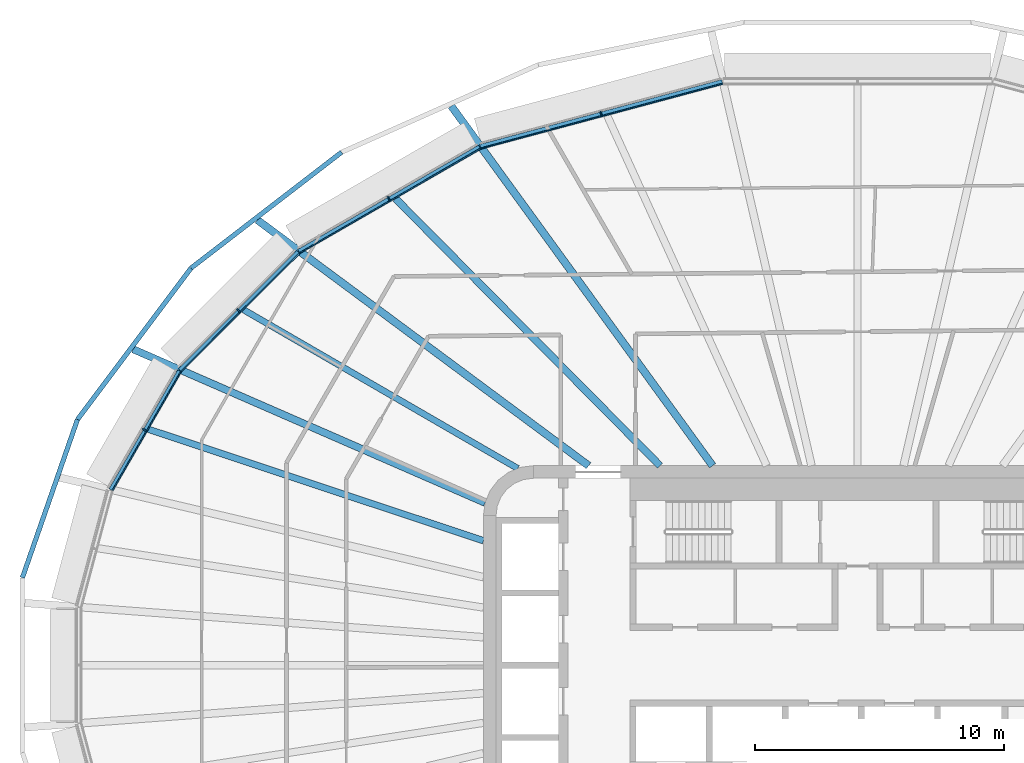
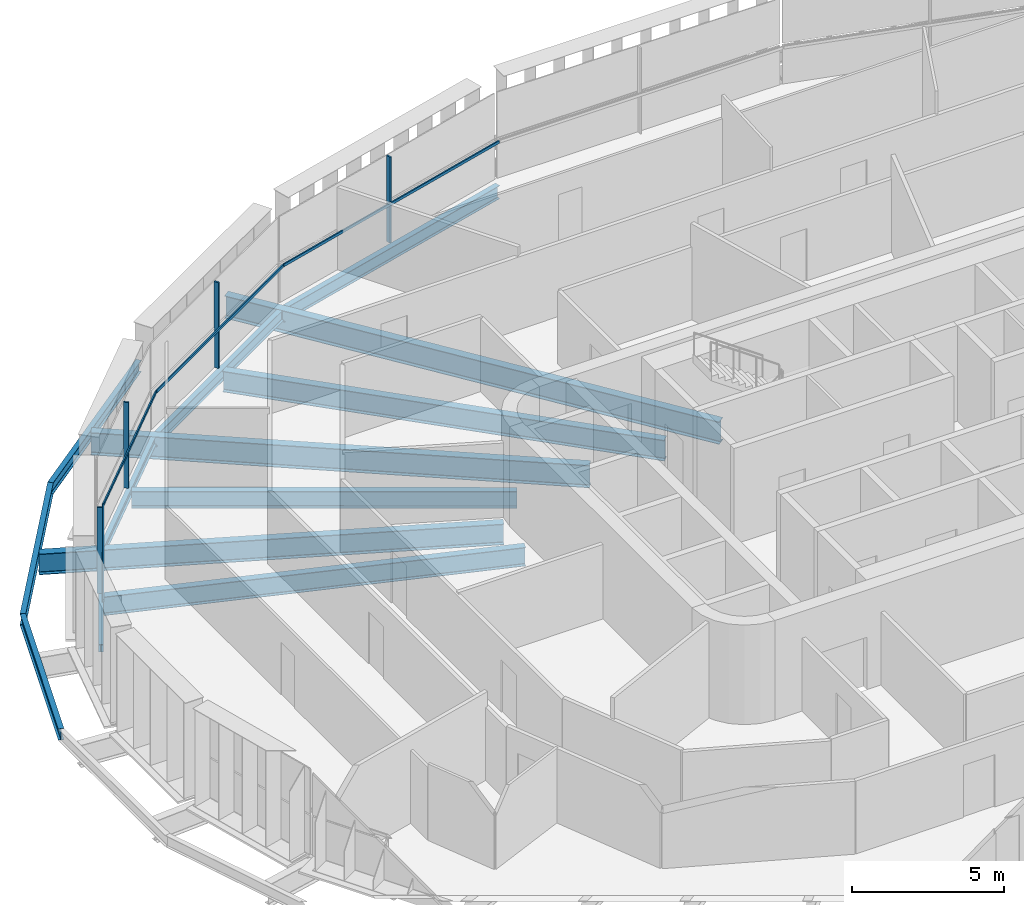
# One storey, part 5 of 23: 13 beams, 8 members, 4 elements without a shape of their own.
"""IFC4 building model written with IfcOpenShell, lengths in metres."""

from ifc_helpers import new_model, si_unit, direction, frame, origin, origin_2d, place, context, subcontext, project, spatial, rectangle, i_section, extrude, material, layer, layer_set, material_profile, profile_set, type_object, element, aggregate, save


model = new_model("IFC4")

# Units and contexts
model_context = context("Model", 3, precision=1e-05, world=origin(), true_north=direction((0.0, 1.0)))
body_context = subcontext(model_context, "Body", "Model", "MODEL_VIEW")
ifc_project = project(units=[si_unit("LENGTHUNIT", "METRE"), si_unit("AREAUNIT", "SQUARE_METRE"), si_unit("VOLUMEUNIT", "CUBIC_METRE"), si_unit("PLANEANGLEUNIT", "RADIAN"), si_unit("MASSUNIT", "GRAM", prefix="KILO")], contexts=[model_context])

# Site, building, storey
site_placement = place(None, origin())
site = spatial("IfcSite", under=ifc_project, at=site_placement, CompositionType="ELEMENT")
building_placement = place(site_placement, origin())
building = spatial("IfcBuilding", under=site, at=building_placement, Name="Sahrelin Media Tower", CompositionType="ELEMENT")
storey_placement = place(building_placement, frame((0.0, 0.0, 157.60009765625)))
storey = spatial("IfcBuildingStorey", under=building, at=storey_placement, Name="L32", CompositionType="ELEMENT", Elevation=157.60009765625)

# Beams
ifc_material_1 = material(Name="Steel S355", Category="steel")
ifc_material_profile_1 = material_profile(ifc_material_1, i_section(OverallWidth=0.1650390625, OverallDepth=0.303466796875, WebThickness=0.006103515625, FlangeThickness=0.01025390625, FilletRadius=0.0087890625, at=origin_2d()), Name="UB 305x165x40")
ifc_profile_set_1 = profile_set([ifc_material_profile_1], Name="Steel S355")
beam_type_1 = type_object("IfcBeamType", Name="Edge beam EB2", PredefinedType="BEAM", material=ifc_profile_set_1)
beam_1_placement = place(storey_placement, frame((-29.936279296875, 7.03125, -0.3017578125), z_axis=(0.499996181239, 0.866027608536, 0.0), x_axis=(-0.866027608536, 0.499996181239, 0.0)))
element("IfcBeam", 1, at=beam_1_placement, inside=storey, type_object=beam_type_1, Name="Edge beam L32-15", PredefinedType="BEAM", context=body_context, shape_type="SweptSolid", body=[
    extrude(i_section(OverallWidth=0.1650390625, OverallDepth=0.303466796875, WebThickness=0.006103515625, FlangeThickness=0.01025390625, FilletRadius=0.0087890625, at=origin_2d()), origin(), (0.0, 0.0, 1.0), 5.50732421875),
])
ifc_material_profile_2 = material_profile(ifc_material_1, i_section(OverallWidth=0.17138671875, OverallDepth=0.35498046875, WebThickness=0.00732421875, FlangeThickness=0.011474609375, FilletRadius=0.01025390625, at=origin_2d()), Name="UB 356x171x51")
ifc_profile_set_2 = profile_set([ifc_material_profile_2], Name="Steel S355")
beam_type_2 = type_object("IfcBeamType", Name="Edge beam EB3", PredefinedType="BEAM", material=ifc_profile_set_2)
beam_2_placement = place(storey_placement, frame((-27.1650390625, 11.823486328125, -0.32763671875), z_axis=(0.707088574851, 0.707124987054, 0.0), x_axis=(-0.707124987054, 0.707088574851, 0.0)))
element("IfcBeam", 2, at=beam_2_placement, inside=storey, type_object=beam_type_2, Name="Edge beam L32-16", PredefinedType="BEAM", context=body_context, shape_type="SweptSolid", body=[
    extrude(i_section(OverallWidth=0.17138671875, OverallDepth=0.35498046875, WebThickness=0.00732421875, FlangeThickness=0.011474609375, FilletRadius=0.01025390625, at=origin_2d()), origin(), (0.0, 0.0, 1.0), 6.704833984375),
])
ifc_material_profile_3 = material_profile(ifc_material_1, i_section(OverallWidth=0.1904296875, OverallDepth=0.45703125, WebThickness=0.009033203125, FlangeThickness=0.014404296875, FilletRadius=0.01025390625, at=origin_2d()), Name="UB 457x191x74")
ifc_profile_set_3 = profile_set([ifc_material_profile_3], Name="Steel S355")
beam_type_3 = type_object("IfcBeamType", Name="Edge beam EB5", PredefinedType="BEAM", material=ifc_profile_set_3)
beam_3_placement = place(storey_placement, frame((-22.401123046875, 16.58203125, -0.378662109375), z_axis=(0.866019985848, 0.500009384024, 0.0), x_axis=(-0.500009384024, 0.866019985848, 0.0)))
element("IfcBeam", 3, at=beam_3_placement, inside=storey, type_object=beam_type_3, Name="Edge beam L32-17", PredefinedType="BEAM", context=body_context, shape_type="SweptSolid", body=[
    extrude(i_section(OverallWidth=0.1904296875, OverallDepth=0.45703125, WebThickness=0.009033203125, FlangeThickness=0.014404296875, FilletRadius=0.01025390625, at=origin_2d()), origin(), (0.0, 0.0, 1.0), 8.371826171875),
])
ifc_material_profile_4 = material_profile(ifc_material_1, i_section(OverallWidth=0.208740234375, OverallDepth=0.5283203125, WebThickness=0.009521484375, FlangeThickness=0.01318359375, FilletRadius=0.0126953125, at=origin_2d()), Name="UB 533x210x82")
ifc_profile_set_4 = profile_set([ifc_material_profile_4], Name="Steel S355")
beam_type_4 = type_object("IfcBeamType", Name="Edge beam EB6", PredefinedType="BEAM", material=ifc_profile_set_4)
beam_4_placement = place(storey_placement, frame((-15.124267578125, 20.779052734375, -0.414306640625), z_axis=(0.965924398273, 0.258824374473, 0.0), x_axis=(-0.258824374473, 0.965924398273, 0.0)))
element("IfcBeam", 4, at=beam_4_placement, inside=storey, type_object=beam_type_4, Name="Edge beam L32-18", PredefinedType="BEAM", context=body_context, shape_type="SweptSolid", body=[
    extrude(i_section(OverallWidth=0.208740234375, OverallDepth=0.5283203125, WebThickness=0.009521484375, FlangeThickness=0.01318359375, FilletRadius=0.0126953125, at=origin_2d()), origin(), (0.0, 0.0, 1.0), 10.0439453125),
])

# Curtain wall, member
ifc_material_2 = material(Name="Champagne anodised aluminium 6063-T6", Category="aluminium")
ifc_layer = layer(ifc_material_2, 0.14990234375)
ifc_layer_set = layer_set([ifc_layer], Name="Tower ribbon curtain wall")
curtain_wall_type = type_object("IfcCurtainWallType", Name="Tower ribbon curtain wall", PredefinedType="NOTDEFINED", material=ifc_layer_set)
curtain_wall_1_placement = place(storey_placement, frame((-10.312255859375, 22.2236328125, 0.0), z_axis=(0.0, 0.0, 1.0), x_axis=(1.0, 0.0, 0.0)))
curtain_wall_1 = element("IfcCurtainWall", 5, at=curtain_wall_1_placement, inside=storey, type_object=curtain_wall_type, Name="L32:CW:L32-07", PredefinedType="NOTDEFINED")
ifc_material_profile_5 = material_profile(ifc_material_2, rectangle(XDim=0.06005859375, YDim=0.175048828125, at=origin_2d()), Name="Mullion 60x175")
ifc_profile_set_5 = profile_set([ifc_material_profile_5], Name="Champagne anodised aluminium 6063-T6")
member_type_1 = type_object("IfcMemberType", Name="Mullion 60x175 CW1B", PredefinedType="MULLION", material=ifc_profile_set_5)
member_1_placement = place(storey_placement, frame((-10.284423828125, 22.119873046875, 0.0), z_axis=(0.0, 0.0, 1.0), x_axis=(-0.965926729732, -0.258815673384, 0.0)))
member_1 = element("IfcMember", 6, at=member_1_placement, type_object=member_type_1, Name="L32:CWM:L32-07", PredefinedType="MULLION", context=body_context, shape_type="SweptSolid", body=[
    extrude(rectangle(XDim=0.06005859375, YDim=0.175048828125, at=origin_2d()), origin(), (0.0, 0.0, 1.0), 3.448486328125),
])

curtain_wall_2_placement = place(storey_placement, frame((-18.85107421875, 18.804931640625, 0.0), z_axis=(0.0, 0.0, 1.0), x_axis=(1.0, 0.0, 0.0)))
curtain_wall_2 = element("IfcCurtainWall", 7, at=curtain_wall_2_placement, inside=storey, type_object=curtain_wall_type, Name="L32:CW:L32-08", PredefinedType="NOTDEFINED")
member_2_placement = place(storey_placement, frame((-18.797119140625, 18.7119140625, 0.0), z_axis=(0.0, 0.0, 1.0), x_axis=(-0.866025403784, -0.5, 0.0)))
member_2 = element("IfcMember", 8, at=member_2_placement, type_object=member_type_1, Name="L32:CWM:L32-08", PredefinedType="MULLION", context=body_context, shape_type="SweptSolid", body=[
    extrude(rectangle(XDim=0.06005859375, YDim=0.175048828125, at=origin_2d()), origin(), (0.0, 0.0, 1.0), 3.448486328125),
])

curtain_wall_3_placement = place(storey_placement, frame((-24.900390625, 14.300048828125, 0.0), z_axis=(0.0, 0.0, 1.0), x_axis=(1.0, 0.0, 0.0)))
curtain_wall_3 = element("IfcCurtainWall", 9, at=curtain_wall_3_placement, inside=storey, type_object=curtain_wall_type, Name="L32:CW:L32-09", PredefinedType="NOTDEFINED")
member_3_placement = place(storey_placement, frame((-24.824462890625, 14.22412109375, 0.0), z_axis=(0.0, 0.0, 1.0), x_axis=(-0.707106781187, -0.707106781187, 0.0)))
member_3 = element("IfcMember", 10, at=member_3_placement, type_object=member_type_1, Name="L32:CWM:L32-09", PredefinedType="MULLION", context=body_context, shape_type="SweptSolid", body=[
    extrude(rectangle(XDim=0.06005859375, YDim=0.175048828125, at=origin_2d()), origin(), (0.0, 0.0, 1.0), 3.448486328125),
])

curtain_wall_4_placement = place(storey_placement, frame((-28.689208984375, 9.490966796875, 0.0), z_axis=(0.0, 0.0, 1.0), x_axis=(1.0, 0.0, 0.0)))
curtain_wall_4 = element("IfcCurtainWall", 11, at=curtain_wall_4_placement, inside=storey, type_object=curtain_wall_type, Name="L32:CW:L32-10", PredefinedType="NOTDEFINED")
member_4_placement = place(storey_placement, frame((-28.59619140625, 9.437255859375, 0.0), z_axis=(0.0, 0.0, 1.0), x_axis=(-0.4999984885, -0.866026276448, 0.0)))
member_4 = element("IfcMember", 12, at=member_4_placement, type_object=member_type_1, Name="L32:CWM:L32-10", PredefinedType="MULLION", context=body_context, shape_type="SweptSolid", body=[
    extrude(rectangle(XDim=0.06005859375, YDim=0.175048828125, at=origin_2d()), origin(), (0.0, 0.0, 1.0), 3.448486328125),
])

# Beams
ifc_material_profile_6 = material_profile(ifc_material_1, i_section(OverallWidth=0.291748046875, OverallDepth=0.8349609375, WebThickness=0.013916015625, FlangeThickness=0.018798828125, FilletRadius=0.017822265625, at=origin_2d()), Name="UB 838x292x176")
ifc_profile_set_6 = profile_set([ifc_material_profile_6], Name="Steel S355")
beam_type_5 = type_object("IfcBeamType", Name="Radial primary beam PB10", PredefinedType="BEAM", material=ifc_profile_set_6)
beam_5_placement = place(storey_placement, frame((-14.9326171875, 6.51318359375, -0.567626953125), z_axis=(-0.916602253647, 0.399800335929, 0.0), x_axis=(-0.399800335929, -0.916602253647, 0.0)))
element("IfcBeam", 13, at=beam_5_placement, inside=storey, type_object=beam_type_5, Name="Radial beam L32-10", PredefinedType="BEAM", context=body_context, shape_type="SweptSolid", body=[
    extrude(i_section(OverallWidth=0.291748046875, OverallDepth=0.8349609375, WebThickness=0.013916015625, FlangeThickness=0.018798828125, FilletRadius=0.017822265625, at=origin_2d()), origin(), (0.0, 0.0, 1.0), 15.395263671875),
])
ifc_material_profile_7 = material_profile(ifc_material_1, i_section(OverallWidth=0.30322265625, OverallDepth=0.903076171875, WebThickness=0.01513671875, FlangeThickness=0.020263671875, FilletRadius=0.01904296875, at=origin_2d()), Name="UB 914x305x201")
ifc_profile_set_7 = profile_set([ifc_material_profile_7], Name="Steel S355")
beam_type_6 = type_object("IfcBeamType", Name="Radial primary beam PB11", PredefinedType="BEAM", material=ifc_profile_set_7)
beam_6_placement = place(storey_placement, frame((-5.8125, 8.0, -0.6015625), z_axis=(-0.587799399778, 0.809006715436, 0.0), x_axis=(-0.809006715436, -0.587799399778, 0.0)))
element("IfcBeam", 14, at=beam_6_placement, inside=storey, type_object=beam_type_6, Name="Radial beam L32-08", PredefinedType="BEAM", context=body_context, shape_type="SweptSolid", body=[
    extrude(i_section(OverallWidth=0.30322265625, OverallDepth=0.903076171875, WebThickness=0.01513671875, FlangeThickness=0.020263671875, FilletRadius=0.01904296875, at=origin_2d()), origin(), (0.0, 0.0, 1.0), 17.822021484375),
])
beam_7_placement = place(storey_placement, frame((-10.784423828125, 8.0, -0.6015625), z_axis=(-0.80315204966, 0.595774105788, 0.0), x_axis=(-0.595774105788, -0.80315204966, 0.0)))
element("IfcBeam", 15, at=beam_7_placement, inside=storey, type_object=beam_type_6, Name="Radial beam L32-09", PredefinedType="BEAM", context=body_context, shape_type="SweptSolid", body=[
    extrude(i_section(OverallWidth=0.30322265625, OverallDepth=0.903076171875, WebThickness=0.01513671875, FlangeThickness=0.020263671875, FilletRadius=0.01904296875, at=origin_2d()), origin(), (0.0, 0.0, 1.0), 16.532470703125),
])
ifc_material_profile_8 = material_profile(ifc_material_1, i_section(OverallWidth=0.291748046875, OverallDepth=0.8349609375, WebThickness=0.013916015625, FlangeThickness=0.018798828125, FilletRadius=0.017822265625, at=origin_2d()), Name="UB 838x292x176")
ifc_profile_set_8 = profile_set([ifc_material_profile_8], Name="Steel S355")
beam_type_7 = type_object("IfcBeamType", Name="Radial secondary beam SB10", PredefinedType="BEAM", material=ifc_profile_set_8)
beam_8_placement = place(storey_placement, frame((-7.921142578125, 8.0, -0.567626953125), z_axis=(-0.703599162107, 0.710597086317, 0.0), x_axis=(-0.710597086317, -0.703599162107, 0.0)))
element("IfcBeam", 16, at=beam_8_placement, inside=storey, type_object=beam_type_7, Name="Secondary beam L32-08", PredefinedType="BEAM", context=body_context, shape_type="SweptSolid", body=[
    extrude(i_section(OverallWidth=0.291748046875, OverallDepth=0.8349609375, WebThickness=0.013916015625, FlangeThickness=0.018798828125, FilletRadius=0.017822265625, at=origin_2d()), origin(), (0.0, 0.0, 1.0), 15.071533203125),
])
ifc_material_profile_9 = material_profile(ifc_material_1, i_section(OverallWidth=0.2529296875, OverallDepth=0.677978515625, WebThickness=0.01171875, FlangeThickness=0.01611328125, FilletRadius=0.01513671875, at=origin_2d()), Name="UB 686x254x125")
ifc_profile_set_9 = profile_set([ifc_material_profile_9], Name="Steel S355")
beam_type_8 = type_object("IfcBeamType", Name="Radial secondary beam SB8", PredefinedType="BEAM", material=ifc_profile_set_9)
beam_9_placement = place(storey_placement, frame((-13.624755859375, 7.887451171875, -0.489013671875), z_axis=(-0.865442516247, 0.501008234535, 0.0), x_axis=(-0.501008234535, -0.865442516247, 0.0)))
element("IfcBeam", 17, at=beam_9_placement, inside=storey, type_object=beam_type_8, Name="Secondary beam L32-09", PredefinedType="BEAM", context=body_context, shape_type="SweptSolid", body=[
    extrude(i_section(OverallWidth=0.2529296875, OverallDepth=0.677978515625, WebThickness=0.01171875, FlangeThickness=0.01611328125, FilletRadius=0.01513671875, at=origin_2d()), origin(), (0.0, 0.0, 1.0), 12.700927734375),
])
ifc_material_profile_10 = material_profile(ifc_material_1, i_section(OverallWidth=0.26513671875, OverallDepth=0.75390625, WebThickness=0.0126953125, FlangeThickness=0.017578125, FilletRadius=0.0166015625, at=origin_2d()), Name="UB 762x267x147")
ifc_profile_set_10 = profile_set([ifc_material_profile_10], Name="Steel S355")
beam_type_9 = type_object("IfcBeamType", Name="Radial secondary beam SB9", PredefinedType="BEAM", material=ifc_profile_set_10)
beam_10_placement = place(storey_placement, frame((-15.0, 4.990234375, -0.527099609375), z_axis=(-0.948867590332, 0.315674351219, 0.0), x_axis=(-0.315674351219, -0.948867590332, 0.0)))
element("IfcBeam", 18, at=beam_10_placement, inside=storey, type_object=beam_type_9, Name="Secondary beam L32-10", PredefinedType="BEAM", context=body_context, shape_type="SweptSolid", body=[
    extrude(i_section(OverallWidth=0.26513671875, OverallDepth=0.75390625, WebThickness=0.0126953125, FlangeThickness=0.017578125, FilletRadius=0.0166015625, at=origin_2d()), origin(), (0.0, 0.0, 1.0), 14.162353515625),
])
ifc_material_profile_11 = material_profile(ifc_material_1, i_section(OverallWidth=0.1904296875, OverallDepth=0.45703125, WebThickness=0.009033203125, FlangeThickness=0.014404296875, FilletRadius=0.01025390625, at=origin_2d()), Name="UB 457x191x74")
ifc_profile_set_11 = profile_set([ifc_material_profile_11], Name="Steel S355")
beam_type_10 = type_object("IfcBeamType", Name="Tie chord TC5", PredefinedType="BEAM", material=ifc_profile_set_11)
beam_11_placement = place(storey_placement, frame((-20.688232421875, 20.567138671875, -0.378662109375), z_axis=(-0.792433203357, -0.609958702058, 0.0), x_axis=(0.609958702058, -0.792433203357, 0.0)))
element("IfcBeam", 19, at=beam_11_placement, inside=storey, type_object=beam_type_10, Name="Tie chord L32-09", PredefinedType="BEAM", context=body_context, shape_type="SweptSolid", body=[
    extrude(i_section(OverallWidth=0.1904296875, OverallDepth=0.45703125, WebThickness=0.009033203125, FlangeThickness=0.014404296875, FilletRadius=0.01025390625, at=origin_2d()), origin(), (0.0, 0.0, 1.0), 7.61279296875),
])
beam_12_placement = place(storey_placement, frame((-26.720947265625, 15.923583984375, -0.378662109375), z_axis=(-0.600072024218, -0.79994597677, 0.0), x_axis=(0.79994597677, -0.600072024218, 0.0)))
element("IfcBeam", 20, at=beam_12_placement, inside=storey, type_object=beam_type_10, Name="Tie chord L32-10", PredefinedType="BEAM", context=body_context, shape_type="SweptSolid", body=[
    extrude(i_section(OverallWidth=0.1904296875, OverallDepth=0.45703125, WebThickness=0.009033203125, FlangeThickness=0.014404296875, FilletRadius=0.01025390625, at=origin_2d()), origin(), (0.0, 0.0, 1.0), 7.5927734375),
])
beam_13_placement = place(storey_placement, frame((-31.277099609375, 9.849853515625, -0.378662109375), z_axis=(-0.328751834685, -0.9444163442, 0.0), x_axis=(0.9444163442, -0.328751834685, 0.0)))
element("IfcBeam", 21, at=beam_13_placement, inside=storey, type_object=beam_type_10, Name="Tie chord L32-11", PredefinedType="BEAM", context=body_context, shape_type="SweptSolid", body=[
    extrude(i_section(OverallWidth=0.1904296875, OverallDepth=0.45703125, WebThickness=0.009033203125, FlangeThickness=0.014404296875, FilletRadius=0.01025390625, at=origin_2d()), origin(), (0.0, 0.0, 1.0), 6.71630859375),
])

# Member
ifc_material_profile_12 = material_profile(ifc_material_2, rectangle(XDim=0.050048828125, YDim=0.110107421875, at=origin_2d()), Name="Transom 50x110")
ifc_profile_set_12 = profile_set([ifc_material_profile_12], Name="Champagne anodised aluminium 6063-T6")
member_type_2 = type_object("IfcMemberType", Name="Transom 50x110 CW1B", PredefinedType="USERDEFINED", material=ifc_profile_set_12)
member_5_placement = place(storey_placement, frame((-5.419677734375, 23.306884765625, 1.599853515625), z_axis=(-0.965929113775, -0.258806775726, 0.0), x_axis=(0.258806775726, -0.965929113775, 0.0)))
member_5 = element("IfcMember", 22, at=member_5_placement, type_object=member_type_2, Name="L32:CWT:L32-07", ObjectType="TRANSOM", PredefinedType="USERDEFINED", context=body_context, shape_type="SweptSolid", body=[
    extrude(rectangle(XDim=0.050048828125, YDim=0.110107421875, at=origin_2d()), origin(), (0.0, 0.0, 1.0), 10.012451171875),
])

aggregate(curtain_wall_1, [member_1, member_5])

member_6_placement = place(storey_placement, frame((-15.12939453125, 20.69970703125, 1.599853515625), z_axis=(-0.866018876994, -0.500011304563, 0.0), x_axis=(0.500011304563, -0.866018876994, 0.0)))
member_6 = element("IfcMember", 23, at=member_6_placement, type_object=member_type_2, Name="L32:CWT:L32-08", ObjectType="TRANSOM", PredefinedType="USERDEFINED", context=body_context, shape_type="SweptSolid", body=[
    extrude(rectangle(XDim=0.050048828125, YDim=0.110107421875, at=origin_2d()), origin(), (0.0, 0.0, 1.0), 8.340576171875),
])

aggregate(curtain_wall_2, [member_2, member_6])

member_7_placement = place(storey_placement, frame((-22.385498046875, 16.50390625, 1.599853515625), z_axis=(-0.707125072767, -0.707088489133, 0.0), x_axis=(0.707088489133, -0.707125072767, 0.0)))
member_7 = element("IfcMember", 24, at=member_7_placement, type_object=member_type_2, Name="L32:CWT:L32-09", ObjectType="TRANSOM", PredefinedType="USERDEFINED", context=body_context, shape_type="SweptSolid", body=[
    extrude(rectangle(XDim=0.050048828125, YDim=0.110107421875, at=origin_2d()), origin(), (0.0, 0.0, 1.0), 6.673583984375),
])

aggregate(curtain_wall_3, [member_3, member_7])

member_8_placement = place(storey_placement, frame((-27.1298828125, 11.752197265625, 1.599853515625), z_axis=(-0.49998489776, -0.866034122891, 0.0), x_axis=(0.866034122891, -0.49998489776, 0.0)))
member_8 = element("IfcMember", 25, at=member_8_placement, type_object=member_type_2, Name="L32:CWT:L32-10", ObjectType="TRANSOM", PredefinedType="USERDEFINED", context=body_context, shape_type="SweptSolid", body=[
    extrude(rectangle(XDim=0.050048828125, YDim=0.110107421875, at=origin_2d()), origin(), (0.0, 0.0, 1.0), 5.475830078125),
])

aggregate(curtain_wall_4, [member_4, member_8])

save(model, "model.ifc")
